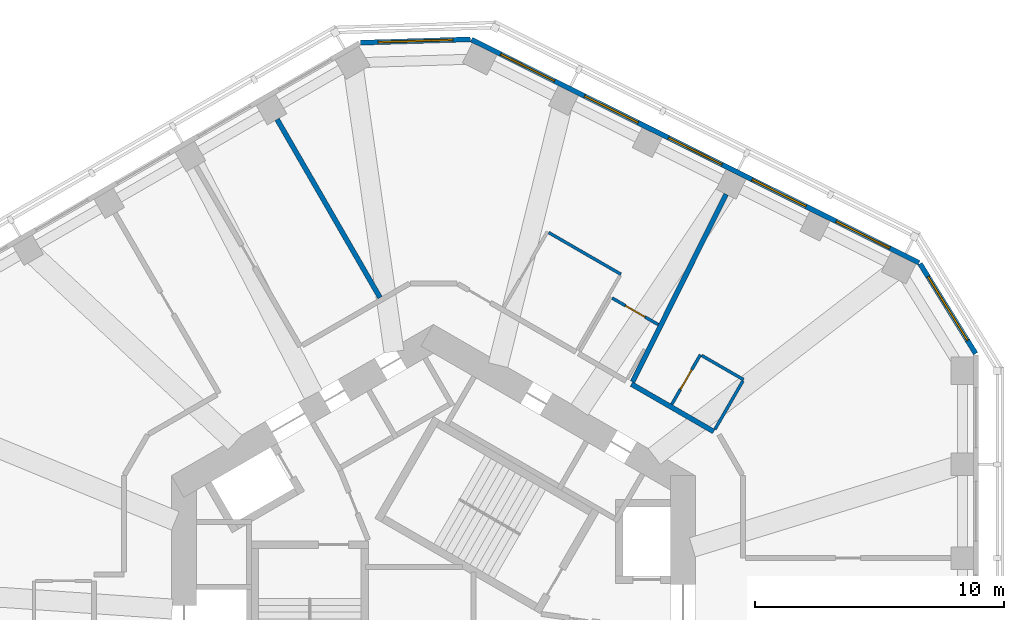
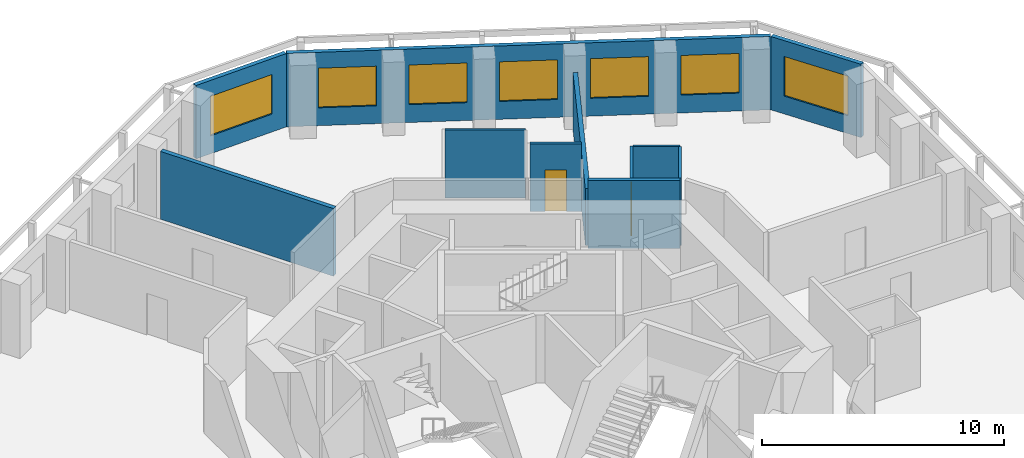
# One storey, part 8 of 11: 11 walls, 7 windows, 2 doors, 9 openings.
"""IFC4 building model written with IfcOpenShell, lengths in metres."""

import ifcopenshell
import ifcopenshell.guid

model = None  # the IFC model being written
_history = None  # IfcOwnerHistory: only IFC2X3 demands one
_inside = {}  # id of a spatial element -> (the spatial element, [elements in it])
_under = {}  # id of a project, library or spatial element -> (it, [spatial elements below it])
_declared = {}  # id of a project -> (the project, [libraries it declares])
_typed = {}  # id of a type object -> (the type object, [elements of that type])
_made_of = {}  # id of a material, layer set ... -> (it, [elements and type objects made of it])


def new_model(schema):
    """Start an empty IFC model of exactly this schema.

    Asked for "IFC4X3", IfcOpenShell would pick the latest addendum, in which some entities
    have other attributes; the version numbers below select the first issue.
    IFC2X3 requires an IfcOwnerHistory on every rooted entity: one is made here for all.
    """
    global model, _history
    if schema == "IFC4X3":
        model = ifcopenshell.file(schema_version=(4, 3, 0, 0))
    else:
        model = ifcopenshell.file(schema=schema)
    _inside.clear()
    _under.clear()
    _declared.clear()
    _typed.clear()
    _made_of.clear()
    _history = None
    if model.schema == "IFC2X3":
        org = make("IfcOrganization", Name="unknown")
        user = make(
            "IfcPersonAndOrganization",
            ThePerson=make("IfcPerson", FamilyName="unknown"),
            TheOrganization=org,
        )
        app = make(
            "IfcApplication",
            ApplicationDeveloper=org,
            Version="unknown",
            ApplicationFullName="unknown",
            ApplicationIdentifier="unknown",
        )
        _history = make(
            "IfcOwnerHistory",
            OwningUser=user,
            OwningApplication=app,
            ChangeAction="ADDED",
            CreationDate=0,
        )
    return model


def make(cls, **values):
    """One entity of the class cls with the attributes given. An attribute that is None is left unset."""
    return model.create_entity(
        cls, **{name: value for name, value in values.items() if value is not None}
    )


def rooted(cls, **values):
    """An entity with a GlobalId (a new one), such as an element, a storey or a relation."""
    return make(cls, GlobalId=ifcopenshell.guid.new(), OwnerHistory=_history, **values)


def si_unit(unit_type, name, prefix=None):
    """IfcSIUnit, for example si_unit("LENGTHUNIT", "METRE", prefix="MILLI")."""
    return make("IfcSIUnit", UnitType=unit_type, Prefix=prefix, Name=name)


def assignment(units):
    """IfcUnitAssignment: the units of a project."""
    return None if units is None else make("IfcUnitAssignment", Units=units)


def point(xyz):
    """IfcCartesianPoint."""
    return None if xyz is None else make("IfcCartesianPoint", Coordinates=xyz)


def direction(xyz):
    """IfcDirection."""
    return None if xyz is None else make("IfcDirection", DirectionRatios=xyz)


def frame(location, z_axis=None, x_axis=None):
    """IfcAxis2Placement3D, a coordinate frame: its origin and axes. An axis left out is left unset."""
    return make(
        "IfcAxis2Placement3D",
        Location=point(location),
        Axis=direction(z_axis),
        RefDirection=direction(x_axis),
    )


def frame_2d(location, x_axis=None):
    """IfcAxis2Placement2D, a coordinate frame in the plane: its origin and x axis."""
    return make(
        "IfcAxis2Placement2D", Location=point(location), RefDirection=direction(x_axis)
    )


def origin():
    """The frame at (0, 0, 0) with its axes left unset."""
    return frame((0.0, 0.0, 0.0))


def place(relative_to, where):
    """IfcLocalPlacement: puts the frame where relative to a parent placement (None: the world)."""
    return make(
        "IfcLocalPlacement", PlacementRelTo=relative_to, RelativePlacement=where
    )


def context(
    kind, dimensions, precision=None, world=None, true_north=None, identifier=None
):
    """IfcGeometricRepresentationContext, for example the 3D "Model" context."""
    return make(
        "IfcGeometricRepresentationContext",
        ContextIdentifier=identifier,
        ContextType=kind,
        CoordinateSpaceDimension=dimensions,
        Precision=precision,
        WorldCoordinateSystem=world,
        TrueNorth=true_north,
    )


def subcontext(parent, identifier, kind, view, scale=None):
    """IfcGeometricRepresentationSubContext, for example "Body" below "Model"."""
    return make(
        "IfcGeometricRepresentationSubContext",
        ContextIdentifier=identifier,
        ContextType=kind,
        ParentContext=parent,
        TargetScale=scale,
        TargetView=view,
    )


def project(units=None, contexts=None):
    """IfcProject with its units and contexts."""
    return rooted(
        "IfcProject",
        Name="project",
        RepresentationContexts=contexts,
        UnitsInContext=assignment(units),
    )


def spatial(cls, under=None, at=None, **own):
    """A site, building, storey or space (cls), placed at a placement, below another one or the project."""
    s = rooted(cls, ObjectPlacement=at, **own)
    if under is not None:
        _under.setdefault(under.id(), (under, []))[1].append(s)
    return s


def profile(cls, at=None, kind="AREA", **sizes):
    """A parametric profile (cls). Its sizes go by their IFC names, for example OverallWidth=200.0."""
    return make(cls, ProfileType=kind, Position=at, **sizes)


def rectangle(**sizes):
    """IfcRectangleProfileDef."""
    return profile("IfcRectangleProfileDef", **sizes)


def extrude(swept, where, along, depth):
    """IfcExtrudedAreaSolid: the profile swept, set in the frame where, extruded along a direction by depth."""
    return make(
        "IfcExtrudedAreaSolid",
        SweptArea=swept,
        Position=where,
        ExtrudedDirection=direction(along),
        Depth=depth,
    )


def shape(context_of_items, identifier, shape_type, items):
    """IfcShapeRepresentation: the items that make up one representation, for example the "Body"."""
    return make(
        "IfcShapeRepresentation",
        ContextOfItems=context_of_items,
        RepresentationIdentifier=identifier,
        RepresentationType=shape_type,
        Items=items,
    )


def material(Name=None, Category=None):
    """IfcMaterial."""
    return make("IfcMaterial", Name=Name, Category=Category)


def layer(
    of_material, thickness, ventilated=None, Name=None, Category=None, Priority=None
):
    """IfcMaterialLayer: one layer of a wall or slab, of a material (None: an air gap)."""
    return make(
        "IfcMaterialLayer",
        Material=of_material,
        LayerThickness=thickness,
        IsVentilated=ventilated,
        Name=Name,
        Category=Category,
        Priority=Priority,
    )


def layer_set(layers, Name=None):
    """IfcMaterialLayerSet."""
    return make("IfcMaterialLayerSet", MaterialLayers=layers, LayerSetName=Name)


def made_of(thing, what):
    """Note that an element or type object is made of a material, layer set ...; save() writes the relation."""
    if what is not None:
        _made_of.setdefault(what.id(), (what, []))[1].append(thing)
    return thing


def type_object(cls, material=None, **own):
    """A type object (cls), such as IfcWallType, which elements share."""
    return made_of(rooted(cls, **own), material)


def element(
    cls,
    number,
    at=None,
    inside=None,
    cuts=None,
    type_object=None,
    material=None,
    context=None,
    identifier="Body",
    shape_type=None,
    held_by="IfcProductDefinitionShape",
    body=None,
    shapes=None,
    **own,
):
    """One element of the class cls, such as IfcWall. Its Tag is "e" and its number.

    at: its placement. inside: the storey or other place that contains it. cuts: it is an
    opening in that element (IfcRelVoidsElement). A single representation is given by context,
    identifier, shape_type and body (its items); several are given by shapes. held_by: the class
    of the entity that holds the representations. save() writes the other relations.
    """
    e = rooted(cls, Tag="e%d" % number, ObjectPlacement=at, **own)
    if body is not None:
        shapes = [shape(context, identifier, shape_type, body)]
    if shapes is not None:
        e.Representation = make(held_by, Representations=shapes)
    if inside is not None:
        _inside.setdefault(inside.id(), (inside, []))[1].append(e)
    if cuts is not None:
        rooted(
            "IfcRelVoidsElement", RelatingBuildingElement=cuts, RelatedOpeningElement=e
        )
    if type_object is not None:
        _typed.setdefault(type_object.id(), (type_object, []))[1].append(e)
    return made_of(e, material)


def fill(opening, filler):
    """IfcRelFillsElement: the door or window that sits in an opening."""
    return rooted(
        "IfcRelFillsElement",
        RelatingOpeningElement=opening,
        RelatedBuildingElement=filler,
    )


def aggregate(whole, parts):
    """IfcRelAggregates: a whole, such as a stair, and the parts it consists of."""
    return rooted("IfcRelAggregates", RelatingObject=whole, RelatedObjects=parts)


def save(model, path):
    """Write the relations noted so far, then the file.

    IfcRelAggregates (storeys below a building ...), IfcRelContainedInSpatialStructure (elements
    in a storey), IfcRelDefinesByType, IfcRelAssociatesMaterial and IfcRelDeclares: one each for
    every whole, place, type object, material and project.
    """
    for whole, parts in _under.values():
        aggregate(whole, parts)
    for where, things in _inside.values():
        rooted(
            "IfcRelContainedInSpatialStructure",
            RelatedElements=things,
            RelatingStructure=where,
        )
    for kind, things in _typed.values():
        rooted("IfcRelDefinesByType", RelatedObjects=things, RelatingType=kind)
    for what, things in _made_of.values():
        rooted("IfcRelAssociatesMaterial", RelatedObjects=things, RelatingMaterial=what)
    for by, libraries in _declared.values():
        rooted("IfcRelDeclares", RelatingContext=by, RelatedDefinitions=libraries)
    model.write(path)


model = new_model("IFC4")

# Units and contexts
model_context = context("Model", 3, precision=1e-05, world=origin(), true_north=direction((0.0, 1.0)))
body_context = subcontext(model_context, "Body", "Model", "MODEL_VIEW")
ifc_project = project(units=[si_unit("LENGTHUNIT", "METRE"), si_unit("AREAUNIT", "SQUARE_METRE"), si_unit("VOLUMEUNIT", "CUBIC_METRE"), si_unit("PLANEANGLEUNIT", "RADIAN"), si_unit("MASSUNIT", "GRAM", prefix="KILO")], contexts=[model_context])

# Site, building, storey
site_placement = place(None, origin())
site = spatial("IfcSite", under=ifc_project, at=site_placement, CompositionType="ELEMENT")
building_placement = place(site_placement, origin())
building = spatial("IfcBuilding", under=site, at=building_placement, Name="Vanh Sen Convention Tower", CompositionType="ELEMENT")
storey_placement = place(building_placement, frame((0.0, 0.0, 198.39990234375)))
storey = spatial("IfcBuildingStorey", under=building, at=storey_placement, Name="L49", CompositionType="ELEMENT", Elevation=198.39990234375)

# Wall
ifc_material_1 = material(Name="Moisture-resistant gypsum board on steel studs", Category="steel")
ifc_layer_1 = layer(ifc_material_1, 0.1201171875)
ifc_layer_set_1 = layer_set([ifc_layer_1], Name="Moisture-resistant gypsum board on steel studs")
wall_type_1 = type_object("IfcWallType", Name="Bathroom partition 120", PredefinedType="PARTITIONING", material=ifc_layer_set_1)
wall_1_placement = place(storey_placement, frame((4.620849609375, 15.807373046875, 0.0), z_axis=(0.0, 0.0, 1.0), x_axis=(0.866039519639, -0.499975549825, 0.0)))
element("IfcWall", 1, at=wall_1_placement, inside=storey, type_object=wall_type_1, Name="Bathroom partition 120", PredefinedType="PARTITIONING", context=body_context, shape_type="SweptSolid", body=[
    extrude(rectangle(XDim=3.340087890625, YDim=0.1201171875, at=frame_2d((1.669921875, 0.0))), origin(), (0.0, 0.0, 1.0), 3.420166015625),
])

# Wall, opening, door
wall_2_placement = place(storey_placement, frame((7.169189453125, 13.181396484375, 0.0), z_axis=(0.0, 0.0, 1.0), x_axis=(0.866048165231, -0.499960573946, 0.0)))
wall_2 = element("IfcWall", 2, at=wall_2_placement, inside=storey, type_object=wall_type_1, Name="Bathroom partition 120", PredefinedType="PARTITIONING", context=body_context, shape_type="SweptSolid", body=[
    extrude(rectangle(XDim=2.130126953125, YDim=0.1201171875, at=frame_2d((1.06494140625, 0.0))), origin(), (0.0, 0.0, 1.0), 3.420166015625),
])
opening_1_placement = place(wall_2_placement, frame((0.614990234375, 0.0, 0.0)))
opening_1 = element("IfcOpeningElement", 3, at=opening_1_placement, cuts=wall_2, Name="Opening D49104", PredefinedType="OPENING", context=body_context, shape_type="SweptSolid", body=[
    extrude(rectangle(XDim=0.89990234375, YDim=2.10009765625, at=frame_2d((0.449951171875, 1.050048828125))), frame((0.0, 0.070068359375, 0.0), z_axis=(0.0, -1.0, 0.0), x_axis=(1.0, 0.0, 0.0)), (0.0, 0.0, 1.0), 0.14013671875),
])
ifc_material_2 = material(Name="Laminate door in steel frame", Category="steel")
door_type = type_object("IfcDoorType", Name="Room internal door 900", OperationType="SINGLE_SWING_LEFT", PredefinedType="DOOR", material=ifc_material_2)
door_1_placement = place(opening_1_placement, origin())
door_1 = element("IfcDoor", 4, at=door_1_placement, inside=storey, type_object=door_type, Name="Internal room door D49104", OperationType="SINGLE_SWING_LEFT", OverallHeight=2.10009765625, OverallWidth=0.89990234375, PredefinedType="DOOR", context=body_context, shape_type="SweptSolid", body=[
    extrude(rectangle(XDim=0.89990234375, YDim=2.10009765625, at=frame_2d((0.449951171875, 1.050048828125))), frame((0.0, 0.02490234375, 0.0), z_axis=(0.0, -1.0, 0.0), x_axis=(1.0, 0.0, 0.0)), (0.0, 0.0, 1.0), 0.050048828125),
])
fill(opening_1, door_1)

wall_3_placement = place(storey_placement, frame((9.551513671875, 8.919189453125, 0.0), z_axis=(0.0, 0.0, 1.0), x_axis=(0.499952165731, 0.866053019151, 0.0)))
wall_3 = element("IfcWall", 5, at=wall_3_placement, inside=storey, type_object=wall_type_1, Name="Bathroom partition 120", PredefinedType="PARTITIONING", context=body_context, shape_type="SweptSolid", body=[
    extrude(rectangle(XDim=2.300048828125, YDim=0.1201171875, at=frame_2d((1.14990234375, 0.0))), origin(), (0.0, 0.0, 1.0), 3.420166015625),
])
opening_2_placement = place(wall_3_placement, frame((0.699951171875, 0.0, 0.0)))
opening_2 = element("IfcOpeningElement", 6, at=opening_2_placement, cuts=wall_3, Name="Opening D49102", PredefinedType="OPENING", context=body_context, shape_type="SweptSolid", body=[
    extrude(rectangle(XDim=0.89990234375, YDim=2.10009765625, at=frame_2d((0.449951171875, 1.050048828125))), frame((0.0, 0.070068359375, 0.0), z_axis=(0.0, -1.0, 0.0), x_axis=(1.0, 0.0, 0.0)), (0.0, 0.0, 1.0), 0.14013671875),
])
door_2_placement = place(opening_2_placement, origin())
door_2 = element("IfcDoor", 7, at=door_2_placement, inside=storey, type_object=door_type, Name="Internal room door D49102", OperationType="SINGLE_SWING_LEFT", OverallHeight=2.10009765625, OverallWidth=0.89990234375, PredefinedType="DOOR", context=body_context, shape_type="SweptSolid", body=[
    extrude(rectangle(XDim=0.89990234375, YDim=2.10009765625, at=frame_2d((0.449951171875, 1.050048828125))), frame((0.0, 0.02490234375, 0.0), z_axis=(0.0, -1.0, 0.0), x_axis=(1.0, 0.0, 0.0)), (0.0, 0.0, 1.0), 0.050048828125),
])
fill(opening_2, door_2)

# Walls
wall_4_placement = place(storey_placement, frame((10.75341796875, 10.881103515625, 0.0), z_axis=(0.0, 0.0, 1.0), x_axis=(0.866043088465, -0.499969367985, 0.0)))
element("IfcWall", 8, at=wall_4_placement, inside=storey, type_object=wall_type_1, Name="Bathroom partition 120", PredefinedType="PARTITIONING", context=body_context, shape_type="SweptSolid", body=[
    extrude(rectangle(XDim=1.93994140625, YDim=0.1201171875, at=frame_2d((0.969970703125, 0.0))), origin(), (0.0, 0.0, 1.0), 3.420166015625),
])
wall_5_placement = place(storey_placement, frame((12.403564453125, 9.859130859375, 0.0), z_axis=(0.0, 0.0, 1.0), x_axis=(-0.500030632641, -0.866007717299, 0.0)))
element("IfcWall", 9, at=wall_5_placement, inside=storey, type_object=wall_type_1, Name="Bathroom partition 120", PredefinedType="PARTITIONING", context=body_context, shape_type="SweptSolid", body=[
    extrude(rectangle(XDim=2.239990234375, YDim=0.1201171875, at=frame_2d((1.1201171875, 0.0))), origin(), (0.0, 0.0, 1.0), 3.420166015625),
])
ifc_material_3 = material(Name="Gypsum board on steel studs with mineral wool", Category="steel")
ifc_layer_2 = layer(ifc_material_3, 0.199951171875)
ifc_layer_set_2 = layer_set([ifc_layer_2], Name="Gypsum board on steel studs with mineral wool")
wall_type_2 = type_object("IfcWallType", Name="Corridor partition wall 200", PredefinedType="PARTITIONING", material=ifc_layer_set_2)
wall_6_placement = place(storey_placement, frame((11.2333984375, 7.83251953125, 0.0), z_axis=(0.0, 0.0, 1.0), x_axis=(-0.866002813504, 0.500039125473, 0.0)))
element("IfcWall", 10, at=wall_6_placement, inside=storey, type_object=wall_type_2, Name="Corridor partition wall 200", PredefinedType="PARTITIONING", context=body_context, shape_type="SweptSolid", body=[
    extrude(rectangle(XDim=3.803955078125, YDim=0.199951171875, at=frame_2d((1.90185546875, 0.0))), origin(), (0.0, 0.0, 1.0), 3.420166015625),
])

# Wall, opening, window
ifc_material_4 = material(Name="Insulated lightweight infill wall")
ifc_layer_3 = layer(ifc_material_4, 0.199951171875)
ifc_layer_set_3 = layer_set([ifc_layer_3], Name="Insulated lightweight infill wall")
wall_type_3 = type_object("IfcWallType", Name="External wall 200", PredefinedType="STANDARD", material=ifc_layer_set_3)
wall_7_placement = place(storey_placement, frame((21.735107421875, 10.9580078125, 0.0), z_axis=(0.0, 0.0, 1.0), x_axis=(-0.526213807775, 0.850352296702, 0.0)))
wall_7 = element("IfcWall", 11, at=wall_7_placement, inside=storey, type_object=wall_type_3, Name="External wall CH1 L49", PredefinedType="STANDARD", context=body_context, shape_type="SweptSolid", body=[
    extrude(rectangle(XDim=4.23828125, YDim=0.199951171875, at=frame_2d((2.119140625, 0.0))), origin(), (0.0, 0.0, 1.0), 3.7001953125),
])
opening_3_placement = place(wall_7_placement, frame((0.619140625, 0.0, 0.89990234375)))
opening_3 = element("IfcOpeningElement", 12, at=opening_3_placement, cuts=wall_7, Name="Opening WO2-CH11", PredefinedType="OPENING", context=body_context, shape_type="SweptSolid", body=[
    extrude(rectangle(XDim=3.0, YDim=2.0, at=frame_2d((1.5, 1.0))), frame((0.0, 0.10986328125, 0.0), z_axis=(0.0, -1.0, 0.0), x_axis=(1.0, 0.0, 0.0)), (0.0, 0.0, 1.0), 0.219970703125),
])
ifc_material_5 = material(Name="Aluminium frame with clear low-emissivity glass", Category="aluminium")
window_type_1 = type_object("IfcWindowType", Name="Office window 3000 x 2000", PartitioningType="SINGLE_PANEL", PredefinedType="WINDOW", material=ifc_material_5)
window_1_placement = place(opening_3_placement, origin())
window_1 = element("IfcWindow", 13, at=window_1_placement, inside=storey, type_object=window_type_1, Name="Window WO2-CH11", OverallHeight=2.0, OverallWidth=3.0, PartitioningType="SINGLE_PANEL", PredefinedType="WINDOW", context=body_context, shape_type="SweptSolid", body=[
    extrude(rectangle(XDim=3.0, YDim=2.0, at=frame_2d((1.5, 1.0))), frame((0.0, 0.030029296875, 0.0), z_axis=(0.0, -1.0, 0.0), x_axis=(1.0, 0.0, 0.0)), (0.0, 0.0, 1.0), 0.06005859375),
])
fill(opening_3, window_1)

# Wall, openings, windows
wall_8_placement = place(storey_placement, frame((19.46435546875, 14.598876953125, 0.0), z_axis=(0.0, 0.0, 1.0), x_axis=(-0.894935755043, 0.446195018289, 0.0)))
wall_8 = element("IfcWall", 14, at=wall_8_placement, inside=storey, type_object=wall_type_3, Name="External wall NE L49", PredefinedType="STANDARD", context=body_context, shape_type="SweptSolid", body=[
    extrude(rectangle(XDim=20.043701171875, YDim=0.199951171875, at=frame_2d((10.02197265625, 0.0))), origin(), (0.0, 0.0, 1.0), 3.7001953125),
])
opening_4_placement = place(wall_8_placement, frame((1.31298828125, 0.0, 0.89990234375)))
opening_4 = element("IfcOpeningElement", 15, at=opening_4_placement, cuts=wall_8, Name="Opening WO1-NE1", PredefinedType="OPENING", context=body_context, shape_type="SweptSolid", body=[
    extrude(rectangle(XDim=2.39990234375, YDim=2.0, at=frame_2d((1.199951171875, 1.0))), frame((0.0, 0.10986328125, 0.0), z_axis=(0.0, -1.0, 0.0), x_axis=(1.0, 0.0, 0.0)), (0.0, 0.0, 1.0), 0.219970703125),
])
opening_5_placement = place(wall_8_placement, frame((5.06689453125, 0.0, 0.89990234375)))
opening_5 = element("IfcOpeningElement", 16, at=opening_5_placement, cuts=wall_8, Name="Opening WO1-NE2", PredefinedType="OPENING", context=body_context, shape_type="SweptSolid", body=[
    extrude(rectangle(XDim=2.39990234375, YDim=2.0, at=frame_2d((1.199951171875, 1.0))), frame((0.0, 0.10986328125, 0.0), z_axis=(0.0, -1.0, 0.0), x_axis=(1.0, 0.0, 0.0)), (0.0, 0.0, 1.0), 0.219970703125),
])
opening_6_placement = place(wall_8_placement, frame((8.821044921875, 0.0, 0.89990234375)))
opening_6 = element("IfcOpeningElement", 17, at=opening_6_placement, cuts=wall_8, Name="Opening WO1-NE3", PredefinedType="OPENING", context=body_context, shape_type="SweptSolid", body=[
    extrude(rectangle(XDim=2.39990234375, YDim=2.0, at=frame_2d((1.199951171875, 1.0))), frame((0.0, 0.10986328125, 0.0), z_axis=(0.0, -1.0, 0.0), x_axis=(1.0, 0.0, 0.0)), (0.0, 0.0, 1.0), 0.219970703125),
])
opening_7_placement = place(wall_8_placement, frame((12.5751953125, 0.0, 0.89990234375)))
opening_7 = element("IfcOpeningElement", 18, at=opening_7_placement, cuts=wall_8, Name="Opening WO1-NE4", PredefinedType="OPENING", context=body_context, shape_type="SweptSolid", body=[
    extrude(rectangle(XDim=2.39990234375, YDim=2.0, at=frame_2d((1.199951171875, 1.0))), frame((0.0, 0.10986328125, 0.0), z_axis=(0.0, -1.0, 0.0), x_axis=(1.0, 0.0, 0.0)), (0.0, 0.0, 1.0), 0.219970703125),
])
opening_8_placement = place(wall_8_placement, frame((16.329345703125, 0.0, 0.89990234375)))
opening_8 = element("IfcOpeningElement", 19, at=opening_8_placement, cuts=wall_8, Name="Opening WO1-NE5", PredefinedType="OPENING", context=body_context, shape_type="SweptSolid", body=[
    extrude(rectangle(XDim=2.39990234375, YDim=2.0, at=frame_2d((1.199951171875, 1.0))), frame((0.0, 0.10986328125, 0.0), z_axis=(0.0, -1.0, 0.0), x_axis=(1.0, 0.0, 0.0)), (0.0, 0.0, 1.0), 0.219970703125),
])
window_type_2 = type_object("IfcWindowType", Name="Office window 2400 x 2000", PartitioningType="SINGLE_PANEL", PredefinedType="WINDOW", material=ifc_material_5)
window_2_placement = place(opening_4_placement, origin())
window_2 = element("IfcWindow", 20, at=window_2_placement, inside=storey, type_object=window_type_2, Name="Window WO1-NE1", OverallHeight=2.0, OverallWidth=2.39990234375, PartitioningType="SINGLE_PANEL", PredefinedType="WINDOW", context=body_context, shape_type="SweptSolid", body=[
    extrude(rectangle(XDim=2.39990234375, YDim=2.0, at=frame_2d((1.199951171875, 1.0))), frame((0.0, 0.030029296875, 0.0), z_axis=(0.0, -1.0, 0.0), x_axis=(1.0, 0.0, 0.0)), (0.0, 0.0, 1.0), 0.06005859375),
])
fill(opening_4, window_2)
window_3_placement = place(opening_5_placement, origin())
window_3 = element("IfcWindow", 21, at=window_3_placement, inside=storey, type_object=window_type_2, Name="Window WO1-NE2", OverallHeight=2.0, OverallWidth=2.39990234375, PartitioningType="SINGLE_PANEL", PredefinedType="WINDOW", context=body_context, shape_type="SweptSolid", body=[
    extrude(rectangle(XDim=2.39990234375, YDim=2.0, at=frame_2d((1.199951171875, 1.0))), frame((0.0, 0.030029296875, 0.0), z_axis=(0.0, -1.0, 0.0), x_axis=(1.0, 0.0, 0.0)), (0.0, 0.0, 1.0), 0.06005859375),
])
fill(opening_5, window_3)
window_4_placement = place(opening_6_placement, origin())
window_4 = element("IfcWindow", 22, at=window_4_placement, inside=storey, type_object=window_type_2, Name="Window WO1-NE3", OverallHeight=2.0, OverallWidth=2.39990234375, PartitioningType="SINGLE_PANEL", PredefinedType="WINDOW", context=body_context, shape_type="SweptSolid", body=[
    extrude(rectangle(XDim=2.39990234375, YDim=2.0, at=frame_2d((1.199951171875, 1.0))), frame((0.0, 0.030029296875, 0.0), z_axis=(0.0, -1.0, 0.0), x_axis=(1.0, 0.0, 0.0)), (0.0, 0.0, 1.0), 0.06005859375),
])
fill(opening_6, window_4)
window_5_placement = place(opening_7_placement, origin())
window_5 = element("IfcWindow", 23, at=window_5_placement, inside=storey, type_object=window_type_2, Name="Window WO1-NE4", OverallHeight=2.0, OverallWidth=2.39990234375, PartitioningType="SINGLE_PANEL", PredefinedType="WINDOW", context=body_context, shape_type="SweptSolid", body=[
    extrude(rectangle(XDim=2.39990234375, YDim=2.0, at=frame_2d((1.199951171875, 1.0))), frame((0.0, 0.030029296875, 0.0), z_axis=(0.0, -1.0, 0.0), x_axis=(1.0, 0.0, 0.0)), (0.0, 0.0, 1.0), 0.06005859375),
])
fill(opening_7, window_5)
window_6_placement = place(opening_8_placement, origin())
window_6 = element("IfcWindow", 24, at=window_6_placement, inside=storey, type_object=window_type_2, Name="Window WO1-NE5", OverallHeight=2.0, OverallWidth=2.39990234375, PartitioningType="SINGLE_PANEL", PredefinedType="WINDOW", context=body_context, shape_type="SweptSolid", body=[
    extrude(rectangle(XDim=2.39990234375, YDim=2.0, at=frame_2d((1.199951171875, 1.0))), frame((0.0, 0.030029296875, 0.0), z_axis=(0.0, -1.0, 0.0), x_axis=(1.0, 0.0, 0.0)), (0.0, 0.0, 1.0), 0.06005859375),
])
fill(opening_8, window_6)

# Wall, opening, window
wall_9_placement = place(storey_placement, frame((1.478759765625, 23.552734375, 0.0), z_axis=(0.0, 0.0, 1.0), x_axis=(-0.999534786117, -0.03049936625, 0.0)))
wall_9 = element("IfcWall", 25, at=wall_9_placement, inside=storey, type_object=wall_type_3, Name="External wall CH2 L49", PredefinedType="STANDARD", context=body_context, shape_type="SweptSolid", body=[
    extrude(rectangle(XDim=4.39453125, YDim=0.199951171875, at=frame_2d((2.197265625, 0.0))), origin(), (0.0, 0.0, 1.0), 3.7001953125),
])
opening_9_placement = place(wall_9_placement, frame((0.697509765625, 0.0, 0.89990234375)))
opening_9 = element("IfcOpeningElement", 26, at=opening_9_placement, cuts=wall_9, Name="Opening WO2-CH21", PredefinedType="OPENING", context=body_context, shape_type="SweptSolid", body=[
    extrude(rectangle(XDim=3.0, YDim=2.0, at=frame_2d((1.5, 1.0))), frame((0.0, 0.10986328125, 0.0), z_axis=(0.0, -1.0, 0.0), x_axis=(1.0, 0.0, 0.0)), (0.0, 0.0, 1.0), 0.219970703125),
])
window_7_placement = place(opening_9_placement, origin())
window_7 = element("IfcWindow", 27, at=window_7_placement, inside=storey, type_object=window_type_1, Name="Window WO2-CH21", OverallHeight=2.0, OverallWidth=3.0, PartitioningType="SINGLE_PANEL", PredefinedType="WINDOW", context=body_context, shape_type="SweptSolid", body=[
    extrude(rectangle(XDim=3.0, YDim=2.0, at=frame_2d((1.5, 1.0))), frame((0.0, 0.030029296875, 0.0), z_axis=(0.0, -1.0, 0.0), x_axis=(1.0, 0.0, 0.0)), (0.0, 0.0, 1.0), 0.06005859375),
])
fill(opening_9, window_7)

# Walls
ifc_layer_4 = layer(ifc_material_3, 0.199951171875)
ifc_layer_set_4 = layer_set([ifc_layer_4], Name="Gypsum board on steel studs with mineral wool")
wall_type_4 = type_object("IfcWallType", Name="Tenant suite wall 200", PredefinedType="PARTITIONING", material=ifc_layer_set_4)
wall_10_placement = place(storey_placement, frame((-6.26416015625, 20.343505859375, 0.0), z_axis=(0.0, 0.0, 1.0), x_axis=(0.499996545922, -0.866027397988, 0.0)))
element("IfcWall", 28, at=wall_10_placement, inside=storey, type_object=wall_type_4, Name="Tenant suite wall 200", PredefinedType="PARTITIONING", context=body_context, shape_type="SweptSolid", body=[
    extrude(rectangle(XDim=8.25, YDim=0.199951171875, at=frame_2d((4.125, 0.0))), origin(), (0.0, 0.0, 1.0), 3.420166015625),
])
wall_11_placement = place(storey_placement, frame((11.729736328125, 17.337890625, 0.0), z_axis=(0.0, 0.0, 1.0), x_axis=(-0.446189718314, -0.894938397473, 0.0)))
element("IfcWall", 29, at=wall_11_placement, inside=storey, type_object=wall_type_4, Name="Tenant suite wall 200", PredefinedType="PARTITIONING", context=body_context, shape_type="SweptSolid", body=[
    extrude(rectangle(XDim=8.395751953125, YDim=0.199951171875, at=frame_2d((4.19775390625, 0.0))), origin(), (0.0, 0.0, 1.0), 2.8701171875),
])

save(model, "model.ifc")
